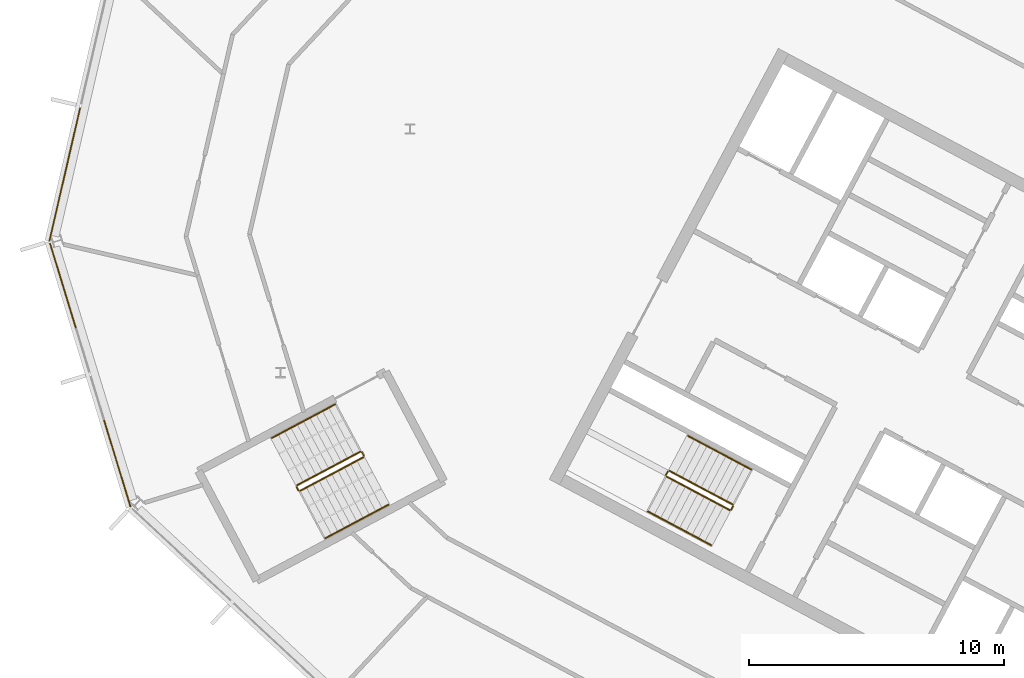
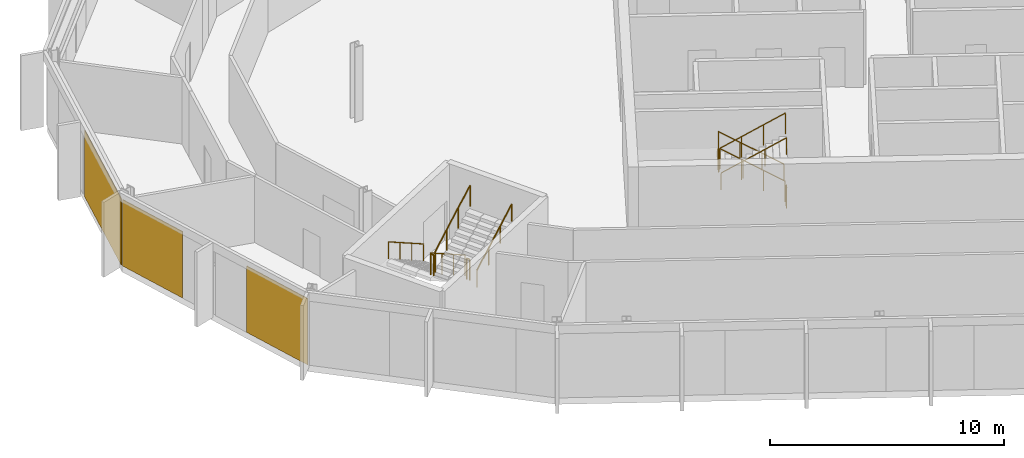
# One storey, part 21 of 26: 12 railings, 3 coverings, 2 elements without a shape of their own.
"""IFC4 building model written with IfcOpenShell, lengths in metres."""

from ifc_helpers import new_model, si_unit, direction, frame, origin, origin_2d, place, context, subcontext, project, spatial, polyline, rectangle, outline, extrude, material, layer, layer_set, type_object, element, aggregate, save


model = new_model("IFC4")

# Units and contexts
model_context = context("Model", 3, precision=1e-05, world=origin(), true_north=direction((0.0, 1.0)))
body_context = subcontext(model_context, "Body", "Model", "MODEL_VIEW")
ifc_project = project(units=[si_unit("LENGTHUNIT", "METRE"), si_unit("AREAUNIT", "SQUARE_METRE"), si_unit("VOLUMEUNIT", "CUBIC_METRE"), si_unit("PLANEANGLEUNIT", "RADIAN"), si_unit("MASSUNIT", "GRAM", prefix="KILO")], contexts=[model_context])

# Site, building, storey
site_placement = place(None, origin())
site = spatial("IfcSite", under=ifc_project, at=site_placement, CompositionType="ELEMENT")
building_placement = place(site_placement, origin())
building = spatial("IfcBuilding", under=site, at=building_placement, Name="Cormorant Relay Tower", CompositionType="ELEMENT")
storey_placement = place(building_placement, frame((0.0, 0.0, 316.5)))
storey = spatial("IfcBuildingStorey", under=building, at=storey_placement, Name="L72", CompositionType="ELEMENT", Elevation=316.5)

# Curtain wall, covering
ifc_material_1 = material(Name="Aluminium 6063-T6 anodised bronze", Category="aluminium")
ifc_layer_1 = layer(ifc_material_1, 0.199951171875)
ifc_layer_set_1 = layer_set([ifc_layer_1], Name="CW1 unitised bronze curtain wall with vertical fins")
curtain_wall_type = type_object("IfcCurtainWallType", Name="CW1 unitised bronze curtain wall with vertical fins", PredefinedType="NOTDEFINED", material=ifc_layer_set_1)
curtain_wall_1_placement = place(storey_placement, origin())
curtain_wall_1 = element("IfcCurtainWall", 1, at=curtain_wall_1_placement, inside=storey, type_object=curtain_wall_type, Name="CW1 curtain wall 13", PredefinedType="NOTDEFINED")
ifc_material_2 = material(Name="Pale bronze anodised aluminium insulated panel", Category="aluminium")
ifc_layer_2 = layer(ifc_material_2, 0.0400390625)
ifc_layer_set_2 = layer_set([ifc_layer_2], Name="CW1 pale bronze insulated panel 40")
covering_type = type_object("IfcCoveringType", Name="CW1 pale bronze insulated panel 40", PredefinedType="CLADDING", material=ifc_layer_set_2)
covering_1_placement = place(storey_placement, frame((-60.136474609375, 23.00927734375, 0.0), z_axis=(0.0, 0.0, 1.0), x_axis=(-0.224951054344, -0.974370064785, 0.0)))
covering_1 = element("IfcCovering", 2, at=covering_1_placement, type_object=covering_type, Name="CW1 panel S02", PredefinedType="CLADDING", context=body_context, shape_type="SweptSolid", body=[
    extrude(rectangle(XDim=5.360107421875, YDim=0.0400390625, at=origin_2d()), origin(), (0.0, 0.0, 1.0), 3.449951171875),
])
aggregate(curtain_wall_1, [covering_1])

# Curtain wall, coverings
curtain_wall_2_placement = place(storey_placement, origin())
curtain_wall_2 = element("IfcCurtainWall", 3, at=curtain_wall_2_placement, inside=storey, type_object=curtain_wall_type, Name="CW1 curtain wall 14", PredefinedType="NOTDEFINED")
covering_2_placement = place(storey_placement, frame((-60.20751953125, 18.6494140625, 0.0), z_axis=(0.0, 0.0, 1.0), x_axis=(0.292371704723, -0.956304755963, 0.0)))
covering_2 = element("IfcCovering", 4, at=covering_2_placement, type_object=covering_type, Name="CW1 panel S00", PredefinedType="CLADDING", context=body_context, shape_type="SweptSolid", body=[
    extrude(rectangle(XDim=3.485107421875, YDim=0.0400390625, at=origin_2d()), origin(), (0.0, 0.0, 1.0), 3.449951171875),
])
covering_3_placement = place(storey_placement, frame((-58.081298828125, 11.6943359375, 0.0), z_axis=(0.0, 0.0, 1.0), x_axis=(0.292371704723, -0.956304755963, 0.0)))
covering_3 = element("IfcCovering", 5, at=covering_3_placement, type_object=covering_type, Name="CW1 panel S03", PredefinedType="CLADDING", context=body_context, shape_type="SweptSolid", body=[
    extrude(rectangle(XDim=3.560302734375, YDim=0.0400390625, at=origin_2d()), origin(), (0.0, 0.0, 1.0), 3.449951171875),
])
aggregate(curtain_wall_2, [covering_2, covering_3])

# Railings
ifc_material_3 = material(Name="Steel ASTM A572 Grade 50 (Fy 345 MPa)", Category="steel")
railing_type_1 = type_object("IfcRailingType", Name="Stair guard 1100", PredefinedType="GUARDRAIL", material=ifc_material_3)
railing_1_placement = place(storey_placement, frame((-33.9921875, 10.08935546875, 0.17724609375)))
element("IfcRailing", 6, at=railing_1_placement, inside=storey, type_object=railing_type_1, Name="L72 A2 stair guard 1", PredefinedType="GUARDRAIL", context=body_context, shape_type="SweptSolid", body=[
    extrude(outline(polyline([(0.022216796875, 0.00927734375), (0.00927734375, 0.022216796875), (-0.00927734375, 0.022216796875), (-0.022216796875, 0.00927734375), (-0.022216796875, -0.00927734375), (-0.00927734375, -0.022216796875), (0.00927734375, -0.022216796875), (0.022216796875, -0.00927734375), (0.022216796875, 0.00927734375)])), frame((0.0, 0.0, 1.076171875), z_axis=(-0.746001213114, 0.396649272309, 0.534931345884), x_axis=(-0.469465464807, -0.882950835185, 0.0)), (0.0, 0.0, 1.0), 3.31396484375),
    extrude(outline(polyline([(0.019287109375, 0.008056640625), (0.008056640625, 0.019287109375), (-0.008056640625, 0.019287109375), (-0.019287109375, 0.008056640625), (-0.019287109375, -0.008056640625), (-0.008056640625, -0.019287109375), (0.008056640625, -0.019287109375), (0.019287109375, -0.008056640625), (0.019287109375, 0.008056640625)])), origin(), (0.0, 0.0, 1.0), 1.052001953125),
    extrude(outline(polyline([(0.019287109375, 0.008056640625), (0.008056640625, 0.019287109375), (-0.008056640625, 0.019287109375), (-0.019287109375, 0.008056640625), (-0.019287109375, -0.008056640625), (-0.008056640625, -0.019287109375), (0.008056640625, -0.019287109375), (0.019287109375, -0.008056640625), (0.019287109375, 0.008056640625)])), frame((-0.823974609375, 0.438232421875, 0.5908203125)), (0.0, 0.0, 1.0), 1.052001953125),
    extrude(outline(polyline([(0.019287109375, 0.008056640625), (0.008056640625, 0.019287109375), (-0.008056640625, 0.019287109375), (-0.019287109375, 0.008056640625), (-0.019287109375, -0.008056640625), (-0.008056640625, -0.019287109375), (0.008056640625, -0.019287109375), (0.019287109375, -0.008056640625), (0.019287109375, 0.008056640625)])), frame((-1.648193359375, 0.876220703125, 1.181884765625)), (0.0, 0.0, 1.0), 1.052001953125),
    extrude(outline(polyline([(0.019287109375, 0.008056640625), (0.008056640625, 0.019287109375), (-0.008056640625, 0.019287109375), (-0.019287109375, 0.008056640625), (-0.019287109375, -0.008056640625), (-0.008056640625, -0.019287109375), (0.008056640625, -0.019287109375), (0.019287109375, -0.008056640625), (0.019287109375, 0.008056640625)])), frame((-2.47216796875, 1.314453125, 1.772705078125)), (0.0, 0.0, 1.0), 1.052001953125),
])
railing_2_placement = place(storey_placement, frame((-36.531982421875, 11.38330078125, 1.949951171875)))
element("IfcRailing", 7, at=railing_2_placement, inside=storey, type_object=railing_type_1, Name="L72 A2 stair guard 2", PredefinedType="GUARDRAIL", context=body_context, shape_type="SweptSolid", body=[
    extrude(outline(polyline([(0.022216796875, 0.00927734375), (0.00927734375, 0.022216796875), (-0.00927734375, 0.022216796875), (-0.022216796875, 0.00927734375), (-0.022216796875, -0.00927734375), (-0.00927734375, -0.022216796875), (0.00927734375, -0.022216796875), (0.022216796875, -0.00927734375), (0.022216796875, 0.00927734375)])), frame((0.0, 0.0, 1.076171875), z_axis=(-0.469828648786, -0.882757634224, 0.0), x_axis=(0.882757634224, -0.469828648786, 0.0)), (0.0, 0.0, 1.0), 0.150146484375),
    extrude(outline(polyline([(0.019287109375, 0.008056640625), (0.008056640625, 0.019287109375), (-0.008056640625, 0.019287109375), (-0.019287109375, 0.008056640625), (-0.019287109375, -0.008056640625), (-0.008056640625, -0.019287109375), (0.008056640625, -0.019287109375), (0.019287109375, -0.008056640625), (0.019287109375, 0.008056640625)])), origin(), (0.0, 0.0, 1.0), 1.052001953125),
    extrude(outline(polyline([(0.019287109375, 0.008056640625), (0.008056640625, 0.019287109375), (-0.008056640625, 0.019287109375), (-0.019287109375, 0.008056640625), (-0.019287109375, -0.008056640625), (-0.008056640625, -0.019287109375), (0.008056640625, -0.019287109375), (0.019287109375, -0.008056640625), (0.019287109375, 0.008056640625)])), frame((-0.070556640625, -0.132568359375, 0.0)), (0.0, 0.0, 1.0), 1.052001953125),
])
railing_3_placement = place(storey_placement, frame((-36.581787109375, 11.18310546875, 2.127197265625)))
element("IfcRailing", 8, at=railing_3_placement, inside=storey, type_object=railing_type_1, Name="L72 A2 stair guard 3", PredefinedType="GUARDRAIL", context=body_context, shape_type="SweptSolid", body=[
    extrude(outline(polyline([(0.022216796875, 0.00927734375), (0.00927734375, 0.022216796875), (-0.00927734375, 0.022216796875), (-0.022216796875, 0.00927734375), (-0.022216796875, -0.00927734375), (-0.00927734375, -0.022216796875), (0.00927734375, -0.022216796875), (0.022216796875, -0.00927734375), (0.022216796875, 0.00927734375)])), frame((0.0, 0.0, 1.076171875), z_axis=(0.746001213114, -0.396649272309, 0.534931345884), x_axis=(0.469465464807, 0.882950835185, 0.0)), (0.0, 0.0, 1.0), 3.31396484375),
    extrude(outline(polyline([(0.019287109375, 0.008056640625), (0.008056640625, 0.019287109375), (-0.008056640625, 0.019287109375), (-0.019287109375, 0.008056640625), (-0.019287109375, -0.008056640625), (-0.008056640625, -0.019287109375), (0.008056640625, -0.019287109375), (0.019287109375, -0.008056640625), (0.019287109375, 0.008056640625)])), origin(), (0.0, 0.0, 1.0), 1.052001953125),
    extrude(outline(polyline([(0.019287109375, 0.008056640625), (0.008056640625, 0.019287109375), (-0.008056640625, 0.019287109375), (-0.019287109375, 0.008056640625), (-0.019287109375, -0.008056640625), (-0.008056640625, -0.019287109375), (0.008056640625, -0.019287109375), (0.019287109375, -0.008056640625), (0.019287109375, 0.008056640625)])), frame((0.823974609375, -0.438232421875, 0.5908203125)), (0.0, 0.0, 1.0), 1.052001953125),
    extrude(outline(polyline([(0.019287109375, 0.008056640625), (0.008056640625, 0.019287109375), (-0.008056640625, 0.019287109375), (-0.019287109375, 0.008056640625), (-0.019287109375, -0.008056640625), (-0.008056640625, -0.019287109375), (0.008056640625, -0.019287109375), (0.019287109375, -0.008056640625), (0.019287109375, 0.008056640625)])), frame((1.648193359375, -0.876220703125, 1.181884765625)), (0.0, 0.0, 1.0), 1.052001953125),
    extrude(outline(polyline([(0.019287109375, 0.008056640625), (0.008056640625, 0.019287109375), (-0.008056640625, 0.019287109375), (-0.019287109375, 0.008056640625), (-0.019287109375, -0.008056640625), (-0.008056640625, -0.019287109375), (0.008056640625, -0.019287109375), (0.019287109375, -0.008056640625), (0.019287109375, 0.008056640625)])), frame((2.47216796875, -1.314453125, 1.772705078125)), (0.0, 0.0, 1.0), 1.052001953125),
])
railing_4_placement = place(storey_placement, frame((-33.971435546875, 10.021728515625, 0.0)))
element("IfcRailing", 9, at=railing_4_placement, inside=storey, type_object=railing_type_1, Name="L72 A2 stair guard 4", PredefinedType="GUARDRAIL", context=body_context, shape_type="SweptSolid", body=[
    extrude(outline(polyline([(0.022216796875, 0.00927734375), (0.00927734375, 0.022216796875), (-0.00927734375, 0.022216796875), (-0.022216796875, 0.00927734375), (-0.022216796875, -0.00927734375), (-0.00927734375, -0.022216796875), (0.00927734375, -0.022216796875), (0.022216796875, -0.00927734375), (0.022216796875, 0.00927734375)])), frame((0.0, 0.0, 1.076171875), z_axis=(-0.470503732759, -0.882398003998, 0.0), x_axis=(0.882398003998, -0.470503732759, 0.0)), (0.0, 0.0, 1.0), 0.14990234375),
    extrude(outline(polyline([(0.019287109375, 0.008056640625), (0.008056640625, 0.019287109375), (-0.008056640625, 0.019287109375), (-0.019287109375, 0.008056640625), (-0.019287109375, -0.008056640625), (-0.008056640625, -0.019287109375), (0.008056640625, -0.019287109375), (0.019287109375, -0.008056640625), (0.019287109375, 0.008056640625)])), origin(), (0.0, 0.0, 1.0), 1.052001953125),
    extrude(outline(polyline([(0.019287109375, 0.008056640625), (0.008056640625, 0.019287109375), (-0.008056640625, 0.019287109375), (-0.019287109375, 0.008056640625), (-0.019287109375, -0.008056640625), (-0.008056640625, -0.019287109375), (0.008056640625, -0.019287109375), (0.019287109375, -0.008056640625), (0.019287109375, 0.008056640625)])), frame((-0.070556640625, -0.13232421875, 0.0)), (0.0, 0.0, 1.0), 1.052001953125),
])
railing_5_placement = place(storey_placement, frame((-48.5693359375, 12.155517578125, 0.17724609375)))
element("IfcRailing", 10, at=railing_5_placement, inside=storey, type_object=railing_type_1, Name="L72 RP1 stair guard 1", PredefinedType="GUARDRAIL", context=body_context, shape_type="SweptSolid", body=[
    extrude(outline(polyline([(0.022216796875, 0.00927734375), (0.00927734375, 0.022216796875), (-0.00927734375, 0.022216796875), (-0.022216796875, 0.00927734375), (-0.022216796875, -0.00927734375), (-0.00927734375, -0.022216796875), (0.00927734375, -0.022216796875), (0.022216796875, -0.00927734375), (0.022216796875, 0.00927734375)])), frame((0.0, 0.0, 1.076171875), z_axis=(-0.746012083385, -0.396689549623, 0.534886317514), x_axis=(0.469497295046, -0.882933910293, 0.0)), (0.0, 0.0, 1.0), 3.314208984375),
    extrude(outline(polyline([(0.019287109375, 0.008056640625), (0.008056640625, 0.019287109375), (-0.008056640625, 0.019287109375), (-0.019287109375, 0.008056640625), (-0.019287109375, -0.008056640625), (-0.008056640625, -0.019287109375), (0.008056640625, -0.019287109375), (0.019287109375, -0.008056640625), (0.019287109375, 0.008056640625)])), origin(), (0.0, 0.0, 1.0), 1.052001953125),
    extrude(outline(polyline([(0.019287109375, 0.008056640625), (0.008056640625, 0.019287109375), (-0.008056640625, 0.019287109375), (-0.019287109375, 0.008056640625), (-0.019287109375, -0.008056640625), (-0.008056640625, -0.019287109375), (0.008056640625, -0.019287109375), (0.019287109375, -0.008056640625), (0.019287109375, 0.008056640625)])), frame((-0.82421875, -0.438232421875, 0.5908203125)), (0.0, 0.0, 1.0), 1.052001953125),
    extrude(outline(polyline([(0.019287109375, 0.008056640625), (0.008056640625, 0.019287109375), (-0.008056640625, 0.019287109375), (-0.019287109375, 0.008056640625), (-0.019287109375, -0.008056640625), (-0.008056640625, -0.019287109375), (0.008056640625, -0.019287109375), (0.019287109375, -0.008056640625), (0.019287109375, 0.008056640625)])), frame((-1.648193359375, -0.87646484375, 1.181884765625)), (0.0, 0.0, 1.0), 1.052001953125),
    extrude(outline(polyline([(0.019287109375, 0.008056640625), (0.008056640625, 0.019287109375), (-0.008056640625, 0.019287109375), (-0.019287109375, 0.008056640625), (-0.019287109375, -0.008056640625), (-0.008056640625, -0.019287109375), (0.008056640625, -0.019287109375), (0.019287109375, -0.008056640625), (0.019287109375, 0.008056640625)])), frame((-2.472412109375, -1.314697265625, 1.772705078125)), (0.0, 0.0, 1.0), 1.052001953125),
])
railing_6_placement = place(storey_placement, frame((-51.062255859375, 10.773193359375, 1.949951171875)))
element("IfcRailing", 11, at=railing_6_placement, inside=storey, type_object=railing_type_1, Name="L72 RP1 stair guard 2", PredefinedType="GUARDRAIL", context=body_context, shape_type="SweptSolid", body=[
    extrude(outline(polyline([(0.022216796875, 0.00927734375), (0.00927734375, 0.022216796875), (-0.00927734375, 0.022216796875), (-0.022216796875, 0.00927734375), (-0.022216796875, -0.00927734375), (-0.00927734375, -0.022216796875), (0.00927734375, -0.022216796875), (0.022216796875, -0.00927734375), (0.022216796875, 0.00927734375)])), frame((0.0, 0.0, 1.076171875), z_axis=(0.469234640946, -0.883073525669, 0.0), x_axis=(0.883073525669, 0.469234640946, 0.0)), (0.0, 0.0, 1.0), 0.14990234375),
    extrude(outline(polyline([(0.019287109375, 0.008056640625), (0.008056640625, 0.019287109375), (-0.008056640625, 0.019287109375), (-0.019287109375, 0.008056640625), (-0.019287109375, -0.008056640625), (-0.008056640625, -0.019287109375), (0.008056640625, -0.019287109375), (0.019287109375, -0.008056640625), (0.019287109375, 0.008056640625)])), origin(), (0.0, 0.0, 1.0), 1.052001953125),
    extrude(outline(polyline([(0.019287109375, 0.008056640625), (0.008056640625, 0.019287109375), (-0.008056640625, 0.019287109375), (-0.019287109375, 0.008056640625), (-0.019287109375, -0.008056640625), (-0.008056640625, -0.019287109375), (0.008056640625, -0.019287109375), (0.019287109375, -0.008056640625), (0.019287109375, 0.008056640625)])), frame((0.0703125, -0.13232421875, 0.0)), (0.0, 0.0, 1.0), 1.052001953125),
])
railing_7_placement = place(storey_placement, frame((-50.92431640625, 10.6201171875, 2.127197265625)))
element("IfcRailing", 12, at=railing_7_placement, inside=storey, type_object=railing_type_1, Name="L72 RP1 stair guard 3", PredefinedType="GUARDRAIL", context=body_context, shape_type="SweptSolid", body=[
    extrude(outline(polyline([(0.022216796875, 0.00927734375), (0.00927734375, 0.022216796875), (-0.00927734375, 0.022216796875), (-0.022216796875, 0.00927734375), (-0.022216796875, -0.00927734375), (-0.00927734375, -0.022216796875), (0.00927734375, -0.022216796875), (0.022216796875, -0.00927734375), (0.022216796875, 0.00927734375)])), frame((0.0, 0.0, 1.076171875), z_axis=(0.746033882577, 0.396627473466, 0.534901947407), x_axis=(-0.469429322983, 0.882970050864, 0.0)), (0.0, 0.0, 1.0), 3.31396484375),
    extrude(outline(polyline([(0.019287109375, 0.008056640625), (0.008056640625, 0.019287109375), (-0.008056640625, 0.019287109375), (-0.019287109375, 0.008056640625), (-0.019287109375, -0.008056640625), (-0.008056640625, -0.019287109375), (0.008056640625, -0.019287109375), (0.019287109375, -0.008056640625), (0.019287109375, 0.008056640625)])), origin(), (0.0, 0.0, 1.0), 1.052001953125),
    extrude(outline(polyline([(0.019287109375, 0.008056640625), (0.008056640625, 0.019287109375), (-0.008056640625, 0.019287109375), (-0.019287109375, 0.008056640625), (-0.019287109375, -0.008056640625), (-0.008056640625, -0.019287109375), (0.008056640625, -0.019287109375), (0.019287109375, -0.008056640625), (0.019287109375, 0.008056640625)])), frame((0.82421875, 0.438232421875, 0.5908203125)), (0.0, 0.0, 1.0), 1.052001953125),
    extrude(outline(polyline([(0.019287109375, 0.008056640625), (0.008056640625, 0.019287109375), (-0.008056640625, 0.019287109375), (-0.019287109375, 0.008056640625), (-0.019287109375, -0.008056640625), (-0.008056640625, -0.019287109375), (0.008056640625, -0.019287109375), (0.019287109375, -0.008056640625), (0.019287109375, 0.008056640625)])), frame((1.648193359375, 0.876220703125, 1.181884765625)), (0.0, 0.0, 1.0), 1.052001953125),
    extrude(outline(polyline([(0.019287109375, 0.008056640625), (0.008056640625, 0.019287109375), (-0.008056640625, 0.019287109375), (-0.019287109375, 0.008056640625), (-0.019287109375, -0.008056640625), (-0.008056640625, -0.019287109375), (0.008056640625, -0.019287109375), (0.019287109375, -0.008056640625), (0.019287109375, 0.008056640625)])), frame((2.472412109375, 1.314453125, 1.772705078125)), (0.0, 0.0, 1.0), 1.052001953125),
])
railing_8_placement = place(storey_placement, frame((-48.501708984375, 12.134765625, 0.0)))
element("IfcRailing", 13, at=railing_8_placement, inside=storey, type_object=railing_type_1, Name="L72 RP1 stair guard 4", PredefinedType="GUARDRAIL", context=body_context, shape_type="SweptSolid", body=[
    extrude(outline(polyline([(0.022216796875, 0.00927734375), (0.00927734375, 0.022216796875), (-0.00927734375, 0.022216796875), (-0.022216796875, 0.00927734375), (-0.022216796875, -0.00927734375), (-0.00927734375, -0.022216796875), (0.00927734375, -0.022216796875), (0.022216796875, -0.00927734375), (0.022216796875, 0.00927734375)])), frame((0.0, 0.0, 1.076171875), z_axis=(0.46856034887, -0.8834314911, 0.0), x_axis=(0.8834314911, 0.46856034887, 0.0)), (0.0, 0.0, 1.0), 0.150146484375),
    extrude(outline(polyline([(0.019287109375, 0.008056640625), (0.008056640625, 0.019287109375), (-0.008056640625, 0.019287109375), (-0.019287109375, 0.008056640625), (-0.019287109375, -0.008056640625), (-0.008056640625, -0.019287109375), (0.008056640625, -0.019287109375), (0.019287109375, -0.008056640625), (0.019287109375, 0.008056640625)])), origin(), (0.0, 0.0, 1.0), 1.052001953125),
    extrude(outline(polyline([(0.019287109375, 0.008056640625), (0.008056640625, 0.019287109375), (-0.008056640625, 0.019287109375), (-0.019287109375, 0.008056640625), (-0.019287109375, -0.008056640625), (-0.008056640625, -0.019287109375), (0.008056640625, -0.019287109375), (0.019287109375, -0.008056640625), (0.019287109375, 0.008056640625)])), frame((0.0703125, -0.132568359375, 0.0)), (0.0, 0.0, 1.0), 1.052001953125),
])
ifc_material_4 = material(Name="Steel ASTM A572 Grade 50 (Fy 345 MPa)", Category="steel")
railing_type_2 = type_object("IfcRailingType", Name="Stair handrail 900", PredefinedType="HANDRAIL", material=ifc_material_4)
railing_9_placement = place(storey_placement, frame((-33.264404296875, 11.4580078125, 0.17724609375)))
element("IfcRailing", 14, at=railing_9_placement, inside=storey, type_object=railing_type_2, Name="L72 A2 stair handrail 1", PredefinedType="HANDRAIL", context=body_context, shape_type="SweptSolid", body=[
    extrude(outline(polyline([(0.022216796875, 0.00927734375), (0.00927734375, 0.022216796875), (-0.00927734375, 0.022216796875), (-0.022216796875, 0.00927734375), (-0.022216796875, -0.00927734375), (-0.00927734375, -0.022216796875), (0.00927734375, -0.022216796875), (0.022216796875, -0.00927734375), (0.022216796875, 0.00927734375)])), frame((0.0, 0.0, 0.8759765625), z_axis=(-0.746033882577, 0.396627473466, 0.534901947407), x_axis=(-0.469429322983, -0.882970050864, 0.0)), (0.0, 0.0, 1.0), 3.31396484375),
    extrude(outline(polyline([(0.019287109375, 0.008056640625), (0.008056640625, 0.019287109375), (-0.008056640625, 0.019287109375), (-0.019287109375, 0.008056640625), (-0.019287109375, -0.008056640625), (-0.008056640625, -0.019287109375), (0.008056640625, -0.019287109375), (0.019287109375, -0.008056640625), (0.019287109375, 0.008056640625)])), origin(), (0.0, 0.0, 1.0), 0.851806640625),
    extrude(outline(polyline([(0.019287109375, 0.008056640625), (0.008056640625, 0.019287109375), (-0.008056640625, 0.019287109375), (-0.019287109375, 0.008056640625), (-0.019287109375, -0.008056640625), (-0.008056640625, -0.019287109375), (0.008056640625, -0.019287109375), (0.019287109375, -0.008056640625), (0.019287109375, 0.008056640625)])), frame((-0.82421875, 0.438232421875, 0.5908203125)), (0.0, 0.0, 1.0), 0.851806640625),
    extrude(outline(polyline([(0.019287109375, 0.008056640625), (0.008056640625, 0.019287109375), (-0.008056640625, 0.019287109375), (-0.019287109375, 0.008056640625), (-0.019287109375, -0.008056640625), (-0.008056640625, -0.019287109375), (0.008056640625, -0.019287109375), (0.019287109375, -0.008056640625), (0.019287109375, 0.008056640625)])), frame((-1.648193359375, 0.876220703125, 1.181884765625)), (0.0, 0.0, 1.0), 0.851806640625),
    extrude(outline(polyline([(0.019287109375, 0.008056640625), (0.008056640625, 0.019287109375), (-0.008056640625, 0.019287109375), (-0.019287109375, 0.008056640625), (-0.019287109375, -0.008056640625), (-0.008056640625, -0.019287109375), (0.008056640625, -0.019287109375), (0.019287109375, -0.008056640625), (0.019287109375, 0.008056640625)])), frame((-2.472412109375, 1.314453125, 1.772705078125)), (0.0, 0.0, 1.0), 0.851806640625),
])
railing_10_placement = place(storey_placement, frame((-37.3095703125, 9.814453125, 2.127197265625)))
element("IfcRailing", 15, at=railing_10_placement, inside=storey, type_object=railing_type_2, Name="L72 A2 stair handrail 2", PredefinedType="HANDRAIL", context=body_context, shape_type="SweptSolid", body=[
    extrude(outline(polyline([(0.022216796875, 0.00927734375), (0.00927734375, 0.022216796875), (-0.00927734375, 0.022216796875), (-0.022216796875, 0.00927734375), (-0.022216796875, -0.00927734375), (-0.00927734375, -0.022216796875), (0.00927734375, -0.022216796875), (0.022216796875, -0.00927734375), (0.022216796875, 0.00927734375)])), frame((0.0, 0.0, 0.8759765625), z_axis=(0.746033882577, -0.396627473466, 0.534901947407), x_axis=(0.469429322983, 0.882970050864, 0.0)), (0.0, 0.0, 1.0), 3.31396484375),
    extrude(outline(polyline([(0.019287109375, 0.008056640625), (0.008056640625, 0.019287109375), (-0.008056640625, 0.019287109375), (-0.019287109375, 0.008056640625), (-0.019287109375, -0.008056640625), (-0.008056640625, -0.019287109375), (0.008056640625, -0.019287109375), (0.019287109375, -0.008056640625), (0.019287109375, 0.008056640625)])), origin(), (0.0, 0.0, 1.0), 0.851806640625),
    extrude(outline(polyline([(0.019287109375, 0.008056640625), (0.008056640625, 0.019287109375), (-0.008056640625, 0.019287109375), (-0.019287109375, 0.008056640625), (-0.019287109375, -0.008056640625), (-0.008056640625, -0.019287109375), (0.008056640625, -0.019287109375), (0.019287109375, -0.008056640625), (0.019287109375, 0.008056640625)])), frame((0.82421875, -0.438232421875, 0.5908203125)), (0.0, 0.0, 1.0), 0.851806640625),
    extrude(outline(polyline([(0.019287109375, 0.008056640625), (0.008056640625, 0.019287109375), (-0.008056640625, 0.019287109375), (-0.019287109375, 0.008056640625), (-0.019287109375, -0.008056640625), (-0.008056640625, -0.019287109375), (0.008056640625, -0.019287109375), (0.019287109375, -0.008056640625), (0.019287109375, 0.008056640625)])), frame((1.648193359375, -0.876220703125, 1.181884765625)), (0.0, 0.0, 1.0), 0.851806640625),
    extrude(outline(polyline([(0.019287109375, 0.008056640625), (0.008056640625, 0.019287109375), (-0.008056640625, 0.019287109375), (-0.019287109375, 0.008056640625), (-0.019287109375, -0.008056640625), (-0.008056640625, -0.019287109375), (0.008056640625, -0.019287109375), (0.019287109375, -0.008056640625), (0.019287109375, 0.008056640625)])), frame((2.472412109375, -1.314453125, 1.772705078125)), (0.0, 0.0, 1.0), 0.851806640625),
])
railing_11_placement = place(storey_placement, frame((-49.55517578125, 14.009521484375, 0.17724609375)))
element("IfcRailing", 16, at=railing_11_placement, inside=storey, type_object=railing_type_2, Name="L72 RP1 stair handrail 1", PredefinedType="HANDRAIL", context=body_context, shape_type="SweptSolid", body=[
    extrude(outline(polyline([(0.022216796875, 0.00927734375), (0.00927734375, 0.022216796875), (-0.00927734375, 0.022216796875), (-0.022216796875, 0.00927734375), (-0.022216796875, -0.00927734375), (-0.00927734375, -0.022216796875), (0.00927734375, -0.022216796875), (0.022216796875, -0.00927734375), (0.022216796875, 0.00927734375)])), frame((0.0, 0.0, 0.8759765625), z_axis=(-0.746033882577, -0.396627473466, 0.534901947407), x_axis=(0.469429322983, -0.882970050864, 0.0)), (0.0, 0.0, 1.0), 3.31396484375),
    extrude(outline(polyline([(0.019287109375, 0.008056640625), (0.008056640625, 0.019287109375), (-0.008056640625, 0.019287109375), (-0.019287109375, 0.008056640625), (-0.019287109375, -0.008056640625), (-0.008056640625, -0.019287109375), (0.008056640625, -0.019287109375), (0.019287109375, -0.008056640625), (0.019287109375, 0.008056640625)])), origin(), (0.0, 0.0, 1.0), 0.851806640625),
    extrude(outline(polyline([(0.019287109375, 0.008056640625), (0.008056640625, 0.019287109375), (-0.008056640625, 0.019287109375), (-0.019287109375, 0.008056640625), (-0.019287109375, -0.008056640625), (-0.008056640625, -0.019287109375), (0.008056640625, -0.019287109375), (0.019287109375, -0.008056640625), (0.019287109375, 0.008056640625)])), frame((-0.82421875, -0.438232421875, 0.5908203125)), (0.0, 0.0, 1.0), 0.851806640625),
    extrude(outline(polyline([(0.019287109375, 0.008056640625), (0.008056640625, 0.019287109375), (-0.008056640625, 0.019287109375), (-0.019287109375, 0.008056640625), (-0.019287109375, -0.008056640625), (-0.008056640625, -0.019287109375), (0.008056640625, -0.019287109375), (0.019287109375, -0.008056640625), (0.019287109375, 0.008056640625)])), frame((-1.648193359375, -0.876220703125, 1.181884765625)), (0.0, 0.0, 1.0), 0.851806640625),
    extrude(outline(polyline([(0.019287109375, 0.008056640625), (0.008056640625, 0.019287109375), (-0.008056640625, 0.019287109375), (-0.019287109375, 0.008056640625), (-0.019287109375, -0.008056640625), (-0.008056640625, -0.019287109375), (0.008056640625, -0.019287109375), (0.019287109375, -0.008056640625), (0.019287109375, 0.008056640625)])), frame((-2.472412109375, -1.314453125, 1.772705078125)), (0.0, 0.0, 1.0), 0.851806640625),
])
railing_12_placement = place(storey_placement, frame((-49.9384765625, 8.765869140625, 2.127197265625)))
element("IfcRailing", 17, at=railing_12_placement, inside=storey, type_object=railing_type_2, Name="L72 RP1 stair handrail 2", PredefinedType="HANDRAIL", context=body_context, shape_type="SweptSolid", body=[
    extrude(outline(polyline([(0.022216796875, 0.00927734375), (0.00927734375, 0.022216796875), (-0.00927734375, 0.022216796875), (-0.022216796875, 0.00927734375), (-0.022216796875, -0.00927734375), (-0.00927734375, -0.022216796875), (0.00927734375, -0.022216796875), (0.022216796875, -0.00927734375), (0.022216796875, 0.00927734375)])), frame((0.0, 0.0, 0.8759765625), z_axis=(0.746012083385, 0.396689549623, 0.534886317514), x_axis=(-0.469497295046, 0.882933910293, 0.0)), (0.0, 0.0, 1.0), 3.314208984375),
    extrude(outline(polyline([(0.019287109375, 0.008056640625), (0.008056640625, 0.019287109375), (-0.008056640625, 0.019287109375), (-0.019287109375, 0.008056640625), (-0.019287109375, -0.008056640625), (-0.008056640625, -0.019287109375), (0.008056640625, -0.019287109375), (0.019287109375, -0.008056640625), (0.019287109375, 0.008056640625)])), origin(), (0.0, 0.0, 1.0), 0.851806640625),
    extrude(outline(polyline([(0.019287109375, 0.008056640625), (0.008056640625, 0.019287109375), (-0.008056640625, 0.019287109375), (-0.019287109375, 0.008056640625), (-0.019287109375, -0.008056640625), (-0.008056640625, -0.019287109375), (0.008056640625, -0.019287109375), (0.019287109375, -0.008056640625), (0.019287109375, 0.008056640625)])), frame((0.82421875, 0.438232421875, 0.5908203125)), (0.0, 0.0, 1.0), 0.851806640625),
    extrude(outline(polyline([(0.019287109375, 0.008056640625), (0.008056640625, 0.019287109375), (-0.008056640625, 0.019287109375), (-0.019287109375, 0.008056640625), (-0.019287109375, -0.008056640625), (-0.008056640625, -0.019287109375), (0.008056640625, -0.019287109375), (0.019287109375, -0.008056640625), (0.019287109375, 0.008056640625)])), frame((1.648193359375, 0.87646484375, 1.181884765625)), (0.0, 0.0, 1.0), 0.851806640625),
    extrude(outline(polyline([(0.019287109375, 0.008056640625), (0.008056640625, 0.019287109375), (-0.008056640625, 0.019287109375), (-0.019287109375, 0.008056640625), (-0.019287109375, -0.008056640625), (-0.008056640625, -0.019287109375), (0.008056640625, -0.019287109375), (0.019287109375, -0.008056640625), (0.019287109375, 0.008056640625)])), frame((2.472412109375, 1.314697265625, 1.772705078125)), (0.0, 0.0, 1.0), 0.851806640625),
])

save(model, "model.ifc")
